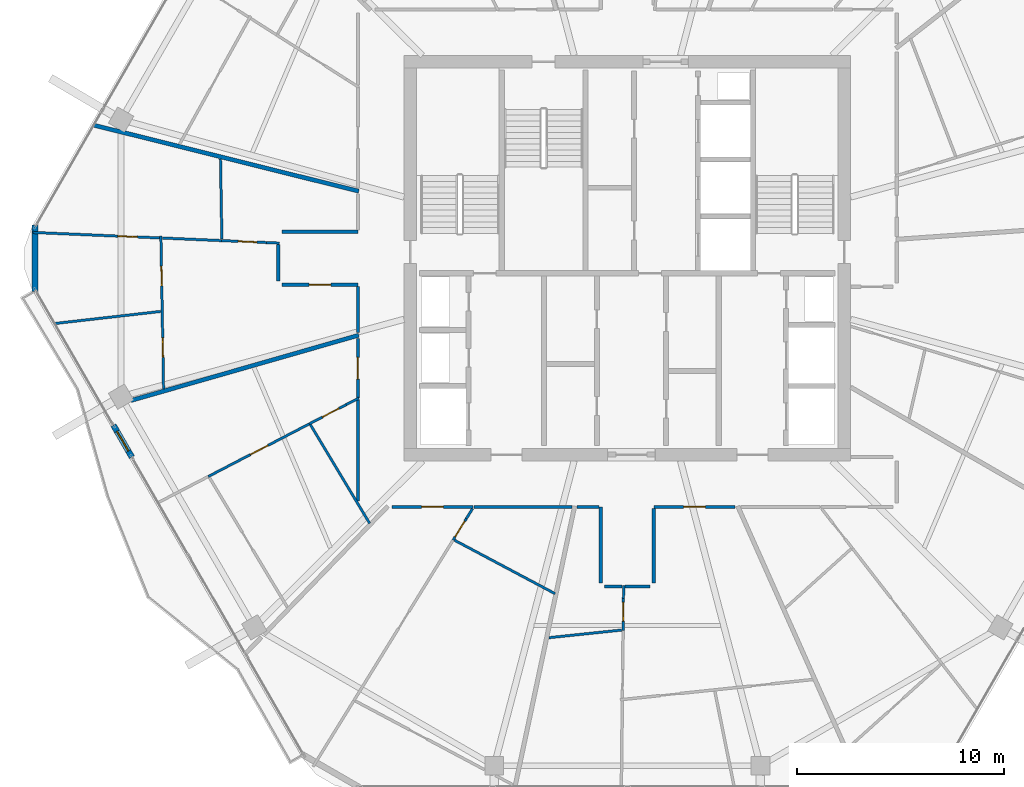
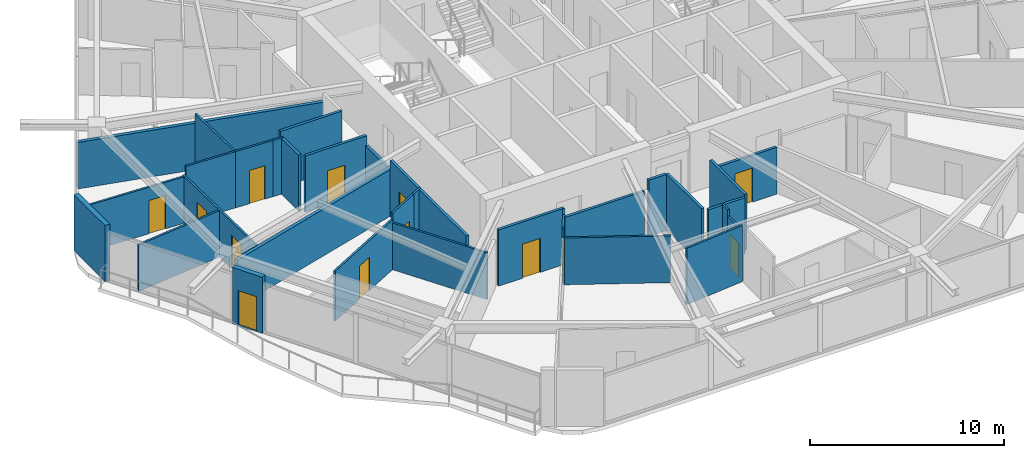
# One storey, part 18 of 26: 35 walls, 13 doors, 13 openings.
"""IFC4 building model written with IfcOpenShell, lengths in metres."""

from ifc_helpers import new_model, si_unit, direction, frame, frame_2d, origin, place, context, subcontext, project, spatial, rectangle, extrude, material, layer, layer_set, type_object, element, fill, save


model = new_model("IFC4")

# Units and contexts
model_context = context("Model", 3, precision=1e-05, world=origin(), true_north=direction((0.0, 1.0)))
body_context = subcontext(model_context, "Body", "Model", "MODEL_VIEW")
ifc_project = project(units=[si_unit("LENGTHUNIT", "METRE"), si_unit("AREAUNIT", "SQUARE_METRE"), si_unit("VOLUMEUNIT", "CUBIC_METRE"), si_unit("PLANEANGLEUNIT", "RADIAN"), si_unit("MASSUNIT", "GRAM", prefix="KILO")], contexts=[model_context])

# Site, building, storey
site_placement = place(None, origin())
site = spatial("IfcSite", under=ifc_project, at=site_placement, CompositionType="ELEMENT")
building_placement = place(site_placement, origin())
building = spatial("IfcBuilding", under=site, at=building_placement, Name="Zuhravey Tower", CompositionType="ELEMENT")
storey_placement = place(building_placement, frame((0.0, 0.0, 250.199951171875)))
storey = spatial("IfcBuildingStorey", under=building, at=storey_placement, Name="L63", CompositionType="ELEMENT", Elevation=250.199951171875)

# Wall, opening, door
ifc_material_1 = material(Name="Gypsum fire-rated stud partition")
ifc_layer_1 = layer(ifc_material_1, 0.159912109375)
ifc_layer_set_1 = layer_set([ifc_layer_1], Name="Gypsum fire-rated stud partition")
wall_type_1 = type_object("IfcWallType", Name="Corridor Fire Partition 160", PredefinedType="PARTITIONING", material=ifc_layer_set_1)
wall_1_placement = place(storey_placement, frame((19.300048828125, 30.719970703125, 0.0), z_axis=(0.0, 0.0, 1.0), x_axis=(1.0, 0.0, 0.0)))
wall_1 = element("IfcWall", 1, at=wall_1_placement, inside=storey, type_object=wall_type_1, Name="L63 IW16 Partition 034", PredefinedType="PARTITIONING", context=body_context, shape_type="SweptSolid", body=[
    extrude(rectangle(XDim=3.669921875, YDim=0.159912109375, at=frame_2d((1.8349609375, 0.0))), origin(), (0.0, 0.0, 1.0), 3.550048828125),
])
opening_1_placement = place(wall_1_placement, frame((1.31005859375, 0.0, 0.0)))
opening_1 = element("IfcOpeningElement", 2, at=opening_1_placement, cuts=wall_1, Name="Opening APD1", PredefinedType="OPENING", context=body_context, shape_type="SweptSolid", body=[
    extrude(rectangle(XDim=1.050048828125, YDim=2.14990234375, at=frame_2d((0.52490234375, 1.074951171875))), frame((0.0, 0.092041015625, 0.0), z_axis=(0.0, -1.0, 0.0), x_axis=(1.0, 0.0, 0.0)), (0.0, 0.0, 1.0), 0.183837890625),
])
ifc_material_2 = material(Name="Solid-core oak fire-rated leaf")
door_type_1 = type_object("IfcDoorType", Name="Apartment Entrance Fire Door 1050x2150", OperationType="NOTDEFINED", PredefinedType="DOOR", material=ifc_material_2)
door_1_placement = place(opening_1_placement, frame((1.050048828125, 0.0, 0.0), z_axis=(0.0, 0.0, 1.0), x_axis=(-1.0, 0.0, 0.0)))
door_1 = element("IfcDoor", 3, at=door_1_placement, inside=storey, type_object=door_type_1, Name="L63 Door 034.1", OperationType="SINGLE_SWING_RIGHT", OverallHeight=2.14990234375, OverallWidth=1.050048828125, PredefinedType="DOOR", context=body_context, shape_type="SweptSolid", body=[
    extrude(rectangle(XDim=1.050048828125, YDim=2.14990234375, at=frame_2d((0.52490234375, 1.074951171875))), frame((0.0, 0.02490234375, 0.0), z_axis=(0.0, -1.0, 0.0), x_axis=(1.0, 0.0, 0.0)), (0.0, 0.0, 1.0), 0.050048828125),
])
fill(opening_1, door_1)

wall_2_placement = place(storey_placement, frame((22.969970703125, 28.119384765625, 0.0), z_axis=(0.0, 0.0, 1.0), x_axis=(0.0, -1.0, 0.0)))
wall_2 = element("IfcWall", 4, at=wall_2_placement, inside=storey, type_object=wall_type_1, Name="L63 IW16 Partition 038", PredefinedType="PARTITIONING", context=body_context, shape_type="SweptSolid", body=[
    extrude(rectangle(XDim=2.885498046875, YDim=0.159912109375, at=frame_2d((1.44287109375, 0.0))), origin(), (0.0, 0.0, 1.0), 3.550048828125),
])
opening_2_placement = place(wall_2_placement, frame((0.917724609375, 0.0, 0.0)))
opening_2 = element("IfcOpeningElement", 5, at=opening_2_placement, cuts=wall_2, Name="Opening APD1", PredefinedType="OPENING", context=body_context, shape_type="SweptSolid", body=[
    extrude(rectangle(XDim=1.050048828125, YDim=2.14990234375, at=frame_2d((0.52490234375, 1.074951171875))), frame((0.0, 0.092041015625, 0.0), z_axis=(0.0, -1.0, 0.0), x_axis=(1.0, 0.0, 0.0)), (0.0, 0.0, 1.0), 0.183837890625),
])
door_2_placement = place(opening_2_placement, frame((1.050048828125, 0.0, 0.0), z_axis=(0.0, 0.0, 1.0), x_axis=(-1.0, 0.0, 0.0)))
door_2 = element("IfcDoor", 6, at=door_2_placement, inside=storey, type_object=door_type_1, Name="L63 Door 038.1", OperationType="SINGLE_SWING_RIGHT", OverallHeight=2.14990234375, OverallWidth=1.050048828125, PredefinedType="DOOR", context=body_context, shape_type="SweptSolid", body=[
    extrude(rectangle(XDim=1.050048828125, YDim=2.14990234375, at=frame_2d((0.52490234375, 1.074951171875))), frame((0.0, 0.02490234375, 0.0), z_axis=(0.0, -1.0, 0.0), x_axis=(1.0, 0.0, 0.0)), (0.0, 0.0, 1.0), 0.050048828125),
])
fill(opening_2, door_2)

wall_3_placement = place(storey_placement, frame((24.611572265625, 19.969970703125, 0.0), z_axis=(0.0, 0.0, 1.0), x_axis=(1.0, 0.0, 0.0)))
wall_3 = element("IfcWall", 7, at=wall_3_placement, inside=storey, type_object=wall_type_1, Name="L63 IW16 Partition 042", PredefinedType="PARTITIONING", context=body_context, shape_type="SweptSolid", body=[
    extrude(rectangle(XDim=3.92919921875, YDim=0.159912109375, at=frame_2d((1.964599609375, 0.0))), origin(), (0.0, 0.0, 1.0), 3.550048828125),
])
opening_3_placement = place(wall_3_placement, frame((1.439697265625, 0.0, 0.0)))
opening_3 = element("IfcOpeningElement", 8, at=opening_3_placement, cuts=wall_3, Name="Opening APD1", PredefinedType="OPENING", context=body_context, shape_type="SweptSolid", body=[
    extrude(rectangle(XDim=1.050048828125, YDim=2.14990234375, at=frame_2d((0.52490234375, 1.074951171875))), frame((0.0, 0.092041015625, 0.0), z_axis=(0.0, -1.0, 0.0), x_axis=(1.0, 0.0, 0.0)), (0.0, 0.0, 1.0), 0.183837890625),
])
door_3_placement = place(opening_3_placement, frame((1.050048828125, 0.0, 0.0), z_axis=(0.0, 0.0, 1.0), x_axis=(-1.0, 0.0, 0.0)))
door_3 = element("IfcDoor", 9, at=door_3_placement, inside=storey, type_object=door_type_1, Name="L63 Door 042.1", OperationType="SINGLE_SWING_RIGHT", OverallHeight=2.14990234375, OverallWidth=1.050048828125, PredefinedType="DOOR", context=body_context, shape_type="SweptSolid", body=[
    extrude(rectangle(XDim=1.050048828125, YDim=2.14990234375, at=frame_2d((0.52490234375, 1.074951171875))), frame((0.0, 0.02490234375, 0.0), z_axis=(0.0, -1.0, 0.0), x_axis=(1.0, 0.0, 0.0)), (0.0, 0.0, 1.0), 0.050048828125),
])
fill(opening_3, door_3)

wall_4_placement = place(storey_placement, frame((37.280029296875, 19.969970703125, 0.0), z_axis=(0.0, 0.0, 1.0), x_axis=(1.0, 0.0, 0.0)))
wall_4 = element("IfcWall", 10, at=wall_4_placement, inside=storey, type_object=wall_type_1, Name="L63 IW16 Partition 047", PredefinedType="PARTITIONING", context=body_context, shape_type="SweptSolid", body=[
    extrude(rectangle(XDim=3.928955078125, YDim=0.159912109375, at=frame_2d((1.96435546875, 0.0))), origin(), (0.0, 0.0, 1.0), 2.949951171875),
])
opening_4_placement = place(wall_4_placement, frame((1.439453125, 0.0, 0.0)))
opening_4 = element("IfcOpeningElement", 11, at=opening_4_placement, cuts=wall_4, Name="Opening APD1", PredefinedType="OPENING", context=body_context, shape_type="SweptSolid", body=[
    extrude(rectangle(XDim=1.050048828125, YDim=2.14990234375, at=frame_2d((0.52490234375, 1.074951171875))), frame((0.0, 0.092041015625, 0.0), z_axis=(0.0, -1.0, 0.0), x_axis=(1.0, 0.0, 0.0)), (0.0, 0.0, 1.0), 0.183837890625),
])
door_4_placement = place(opening_4_placement, frame((1.050048828125, 0.0, 0.0), z_axis=(0.0, 0.0, 1.0), x_axis=(-1.0, 0.0, 0.0)))
door_4 = element("IfcDoor", 12, at=door_4_placement, inside=storey, type_object=door_type_1, Name="L63 Door 047.1", OperationType="SINGLE_SWING_LEFT", OverallHeight=2.14990234375, OverallWidth=1.050048828125, PredefinedType="DOOR", context=body_context, shape_type="SweptSolid", body=[
    extrude(rectangle(XDim=1.050048828125, YDim=2.14990234375, at=frame_2d((0.52490234375, 1.074951171875))), frame((0.0, 0.02490234375, 0.0), z_axis=(0.0, -1.0, 0.0), x_axis=(1.0, 0.0, 0.0)), (0.0, 0.0, 1.0), 0.050048828125),
])
fill(opening_4, door_4)

# Walls
wall_5_placement = place(storey_placement, frame((22.969970703125, 30.632080078125, 0.0), z_axis=(0.0, 0.0, 1.0), x_axis=(0.0, -1.0, 0.0)))
element("IfcWall", 13, at=wall_5_placement, inside=storey, type_object=wall_type_1, Name="L63 IW16 Partition 124", PredefinedType="PARTITIONING", context=body_context, shape_type="SweptSolid", body=[
    extrude(rectangle(XDim=2.224853515625, YDim=0.159912109375, at=frame_2d((1.1123046875, 0.0))), origin(), (0.0, 0.0, 1.0), 2.949951171875),
])
wall_6_placement = place(storey_placement, frame((19.1201171875, 32.6630859375, 0.0), z_axis=(0.0, 0.0, 1.0), x_axis=(0.0, -1.0, 0.0)))
element("IfcWall", 14, at=wall_6_placement, inside=storey, type_object=wall_type_1, Name="L63 IW16 Partition 125", PredefinedType="PARTITIONING", context=body_context, shape_type="SweptSolid", body=[
    extrude(rectangle(XDim=1.76318359375, YDim=0.159912109375, at=frame_2d((0.881591796875, 0.0))), origin(), (0.0, 0.0, 1.0), 3.550048828125),
])
wall_7_placement = place(storey_placement, frame((22.969970703125, 33.280029296875, 0.0), z_axis=(0.0, 0.0, 1.0), x_axis=(-1.0, 0.0, 0.0)))
element("IfcWall", 15, at=wall_7_placement, inside=storey, type_object=wall_type_1, Name="L63 IW16 Partition 126", PredefinedType="PARTITIONING", context=body_context, shape_type="SweptSolid", body=[
    extrude(rectangle(XDim=3.669921875, YDim=0.159912109375, at=frame_2d((1.8349609375, 0.0))), origin(), (0.0, 0.0, 1.0), 3.550048828125),
])
wall_8_placement = place(storey_placement, frame((22.969970703125, 25.134521484375, 0.0), z_axis=(0.0, 0.0, 1.0), x_axis=(0.0, -1.0, 0.0)))
element("IfcWall", 16, at=wall_8_placement, inside=storey, type_object=wall_type_1, Name="L63 IW16 Partition 128", PredefinedType="PARTITIONING", context=body_context, shape_type="SweptSolid", body=[
    extrude(rectangle(XDim=4.8828125, YDim=0.159912109375, at=frame_2d((2.44140625, 0.0))), origin(), (0.0, 0.0, 1.0), 3.550048828125),
])
wall_9_placement = place(storey_placement, frame((28.587890625, 19.969970703125, 0.0), z_axis=(0.0, 0.0, 1.0), x_axis=(1.0, 0.0, 0.0)))
element("IfcWall", 17, at=wall_9_placement, inside=storey, type_object=wall_type_1, Name="L63 IW16 Partition 129", PredefinedType="PARTITIONING", context=body_context, shape_type="SweptSolid", body=[
    extrude(rectangle(XDim=4.724609375, YDim=0.159912109375, at=frame_2d((2.3623046875, 0.0))), origin(), (0.0, 0.0, 1.0), 2.949951171875),
])
wall_10_placement = place(storey_placement, frame((37.280029296875, 16.300048828125, 0.0), z_axis=(0.0, 0.0, 1.0), x_axis=(0.0, 1.0, 0.0)))
element("IfcWall", 18, at=wall_10_placement, inside=storey, type_object=wall_type_1, Name="L63 IW16 Partition 130", PredefinedType="PARTITIONING", context=body_context, shape_type="SweptSolid", body=[
    extrude(rectangle(XDim=3.58203125, YDim=0.159912109375, at=frame_2d((1.791015625, 0.0))), origin(), (0.0, 0.0, 1.0), 3.550048828125),
])
wall_11_placement = place(storey_placement, frame((35.8876953125, 16.1201171875, 0.0), z_axis=(0.0, 0.0, 1.0), x_axis=(1.0, 0.0, 0.0)))
element("IfcWall", 19, at=wall_11_placement, inside=storey, type_object=wall_type_1, Name="L63 IW16 Partition 131", PredefinedType="PARTITIONING", context=body_context, shape_type="SweptSolid", body=[
    extrude(rectangle(XDim=1.21240234375, YDim=0.159912109375, at=frame_2d((0.606201171875, 0.0))), origin(), (0.0, 0.0, 1.0), 3.550048828125),
])
wall_12_placement = place(storey_placement, frame((34.719970703125, 19.969970703125, 0.0), z_axis=(0.0, 0.0, 1.0), x_axis=(0.0, -1.0, 0.0)))
element("IfcWall", 20, at=wall_12_placement, inside=storey, type_object=wall_type_1, Name="L63 IW16 Partition 132", PredefinedType="PARTITIONING", context=body_context, shape_type="SweptSolid", body=[
    extrude(rectangle(XDim=3.669921875, YDim=0.159912109375, at=frame_2d((1.8349609375, 0.0))), origin(), (0.0, 0.0, 1.0), 3.550048828125),
])
wall_13_placement = place(storey_placement, frame((33.572998046875, 19.969970703125, 0.0), z_axis=(0.0, 0.0, 1.0), x_axis=(1.0, 0.0, 0.0)))
element("IfcWall", 21, at=wall_13_placement, inside=storey, type_object=wall_type_1, Name="L63 IW16 Partition 133", PredefinedType="PARTITIONING", context=body_context, shape_type="SweptSolid", body=[
    extrude(rectangle(XDim=1.05908203125, YDim=0.159912109375, at=frame_2d((0.529541015625, 0.0))), origin(), (0.0, 0.0, 1.0), 3.550048828125),
])
wall_14_placement = place(storey_placement, frame((34.89990234375, 16.1201171875, 0.0), z_axis=(0.0, 0.0, 1.0), x_axis=(1.0, 0.0, 0.0)))
element("IfcWall", 22, at=wall_14_placement, inside=storey, type_object=wall_type_1, Name="L63 IW16 Partition 134", PredefinedType="PARTITIONING", context=body_context, shape_type="SweptSolid", body=[
    extrude(rectangle(XDim=0.851806640625, YDim=0.159912109375, at=frame_2d((0.42578125, 0.0))), origin(), (0.0, 0.0, 1.0), 3.550048828125),
])

# Wall, opening, door
ifc_material_3 = material(Name="Precast concrete C40/50", Category="concrete")
ifc_layer_2 = layer(ifc_material_3, 0.280029296875)
ifc_layer_set_2 = layer_set([ifc_layer_2], Name="Precast concrete C40/50")
wall_type_2 = type_object("IfcWallType", Name="Crown Architectural Wall 280", PredefinedType="SOLIDWALL", material=ifc_layer_set_2)
wall_15_placement = place(storey_placement, frame((12.039306640625, 22.373779296875, 0.0), z_axis=(0.0, 0.0, 1.0), x_axis=(-0.499982180423, 0.866035691677, 0.0)))
wall_15 = element("IfcWall", 23, at=wall_15_placement, inside=storey, type_object=wall_type_2, Name="L63 Face 4 Facade Pier EW28-1", PredefinedType="SOLIDWALL", context=body_context, shape_type="SweptSolid", body=[
    extrude(rectangle(XDim=1.7900390625, YDim=0.280029296875, at=frame_2d((0.89501953125, 0.0))), origin(), (0.0, 0.0, 1.0), 3.550048828125),
])
opening_5_placement = place(wall_15_placement, frame((0.344970703125, 0.0, 0.0)))
opening_5 = element("IfcOpeningElement", 24, at=opening_5_placement, cuts=wall_15, Name="Opening BLD1", PredefinedType="OPENING", context=body_context, shape_type="SweptSolid", body=[
    extrude(rectangle(XDim=1.10009765625, YDim=2.199951171875, at=frame_2d((0.550048828125, 1.10009765625))), frame((0.0, 0.152099609375, 0.0), z_axis=(0.0, -1.0, 0.0), x_axis=(1.0, 0.0, 0.0)), (0.0, 0.0, 1.0), 0.303955078125),
])
ifc_material_4 = material(Name="Thermally broken aluminium and low-E glass", Category="aluminium")
door_type_2 = type_object("IfcDoorType", Name="Balcony & Sky-Tray Glazed Door 1100x2200", OperationType="NOTDEFINED", PredefinedType="DOOR", material=ifc_material_4)
door_5_placement = place(opening_5_placement, frame((1.10009765625, 0.0, 0.0), z_axis=(0.0, 0.0, 1.0), x_axis=(-1.0, 0.0, 0.0)))
door_5 = element("IfcDoor", 25, at=door_5_placement, inside=storey, type_object=door_type_2, Name="L63 Face 4 Wave Balcony Door", OperationType="SINGLE_SWING_LEFT", OverallHeight=2.199951171875, OverallWidth=1.10009765625, PredefinedType="DOOR", context=body_context, shape_type="SweptSolid", body=[
    extrude(rectangle(XDim=1.10009765625, YDim=2.199951171875, at=frame_2d((0.550048828125, 1.10009765625))), frame((0.0, 0.02490234375, 0.0), z_axis=(0.0, -1.0, 0.0), x_axis=(1.0, 0.0, 0.0)), (0.0, 0.0, 1.0), 0.050048828125),
])
fill(opening_5, door_5)

# Walls
wall_16_placement = place(storey_placement, frame((7.35498046875, 30.392578125, 0.0), z_axis=(0.0, 0.0, 1.0), x_axis=(0.0, 1.0, 0.0)))
element("IfcWall", 26, at=wall_16_placement, inside=storey, type_object=wall_type_2, Name="L63 Rounded Corner Closure Wall EW28-06", PredefinedType="SOLIDWALL", context=body_context, shape_type="SweptSolid", body=[
    extrude(rectangle(XDim=3.21484375, YDim=0.280029296875, at=frame_2d((1.607421875, 0.0))), origin(), (0.0, 0.0, 1.0), 3.550048828125),
])
ifc_material_5 = material(Name="Gypsum double-stud party assembly")
ifc_layer_3 = layer(ifc_material_5, 0.199951171875)
ifc_layer_set_3 = layer_set([ifc_layer_3], Name="Gypsum double-stud party assembly")
wall_type_3 = type_object("IfcWallType", Name="Inter-Tenancy Party Wall 200", PredefinedType="PARTITIONING", material=ifc_layer_set_3)
wall_17_placement = place(storey_placement, frame((23.010009765625, 35.23876953125, 0.0), z_axis=(0.0, 0.0, 1.0), x_axis=(-0.970296722433, 0.241917900197, 0.0)))
element("IfcWall", 27, at=wall_17_placement, inside=storey, type_object=wall_type_3, Name="L63 IW20 Partition 082", PredefinedType="PARTITIONING", context=body_context, shape_type="SweptSolid", body=[
    extrude(rectangle(XDim=13.206298828125, YDim=0.199951171875, at=frame_2d((6.60302734375, 0.0))), origin(), (0.0, 0.0, 1.0), 2.929931640625),
])
wall_18_placement = place(storey_placement, frame((23.010009765625, 28.275146484375, 0.0), z_axis=(0.0, 0.0, 1.0), x_axis=(-0.961263244987, -0.275631953585, 0.0)))
element("IfcWall", 28, at=wall_18_placement, inside=storey, type_object=wall_type_3, Name="L63 IW20 Partition 086", PredefinedType="PARTITIONING", context=body_context, shape_type="SweptSolid", body=[
    extrude(rectangle(XDim=11.46875, YDim=0.199951171875, at=frame_2d((5.734375, 0.0))), origin(), (0.0, 0.0, 1.0), 2.949951171875),
])

# Wall, openings, doors
ifc_material_6 = material(Name="Gypsum metal-stud partition")
ifc_layer_4 = layer(ifc_material_6, 0.1201171875)
ifc_layer_set_4 = layer_set([ifc_layer_4], Name="Gypsum metal-stud partition")
wall_type_4 = type_object("IfcWallType", Name="Unit Internal Partition 120", PredefinedType="PARTITIONING", material=ifc_layer_set_4)
wall_19_placement = place(storey_placement, frame((13.440185546875, 33.0771484375, 0.0), z_axis=(0.0, 0.0, 1.0), x_axis=(0.01747984643, -0.999847215813, 0.0)))
wall_19 = element("IfcWall", 29, at=wall_19_placement, inside=storey, type_object=wall_type_4, Name="L63 IW12 Partition 030", PredefinedType="PARTITIONING", context=body_context, shape_type="SweptSolid", body=[
    extrude(rectangle(XDim=7.402587890625, YDim=0.1201171875, at=frame_2d((3.701171875, 0.0))), origin(), (0.0, 0.0, 1.0), 2.949951171875),
])
opening_6_placement = place(wall_19_placement, frame((1.468017578125, 0.0, 0.0)))
opening_6 = element("IfcOpeningElement", 30, at=opening_6_placement, cuts=wall_19, Name="Opening IND1", PredefinedType="OPENING", context=body_context, shape_type="SweptSolid", body=[
    extrude(rectangle(XDim=0.949951171875, YDim=2.10009765625, at=frame_2d((0.47509765625, 1.050048828125))), frame((0.0, 0.072021484375, 0.0), z_axis=(0.0, -1.0, 0.0), x_axis=(1.0, 0.0, 0.0)), (0.0, 0.0, 1.0), 0.14404296875),
])
opening_7_placement = place(wall_19_placement, frame((4.9287109375, 0.0, 0.0)))
opening_7 = element("IfcOpeningElement", 31, at=opening_7_placement, cuts=wall_19, Name="Opening IND1", PredefinedType="OPENING", context=body_context, shape_type="SweptSolid", body=[
    extrude(rectangle(XDim=0.949951171875, YDim=2.10009765625, at=frame_2d((0.47509765625, 1.050048828125))), frame((0.0, 0.072021484375, 0.0), z_axis=(0.0, -1.0, 0.0), x_axis=(1.0, 0.0, 0.0)), (0.0, 0.0, 1.0), 0.14404296875),
])
ifc_material_7 = material(Name="Painted engineered timber leaf", Category="wood")
door_type_3 = type_object("IfcDoorType", Name="Internal Room & Bedroom Door 950x2100", OperationType="NOTDEFINED", PredefinedType="DOOR", material=ifc_material_7)
door_6_placement = place(opening_6_placement, frame((0.949951171875, 0.0, 0.0), z_axis=(0.0, 0.0, 1.0), x_axis=(-1.0, 0.0, 0.0)))
door_6 = element("IfcDoor", 32, at=door_6_placement, inside=storey, type_object=door_type_3, Name="Apartment L63-03 Family Study Door", OperationType="SINGLE_SWING_RIGHT", OverallHeight=2.10009765625, OverallWidth=0.949951171875, PredefinedType="DOOR", context=body_context, shape_type="SweptSolid", body=[
    extrude(rectangle(XDim=0.949951171875, YDim=2.10009765625, at=frame_2d((0.47509765625, 1.050048828125))), frame((0.0, 0.02490234375, 0.0), z_axis=(0.0, -1.0, 0.0), x_axis=(1.0, 0.0, 0.0)), (0.0, 0.0, 1.0), 0.050048828125),
])
fill(opening_6, door_6)
door_7_placement = place(opening_7_placement, frame((0.949951171875, 0.0, 0.0), z_axis=(0.0, 0.0, 1.0), x_axis=(-1.0, 0.0, 0.0)))
door_7 = element("IfcDoor", 33, at=door_7_placement, inside=storey, type_object=door_type_3, Name="Apartment L63-03 Dining Room Door", OperationType="SINGLE_SWING_LEFT", OverallHeight=2.10009765625, OverallWidth=0.949951171875, PredefinedType="DOOR", context=body_context, shape_type="SweptSolid", body=[
    extrude(rectangle(XDim=0.949951171875, YDim=2.10009765625, at=frame_2d((0.47509765625, 1.050048828125))), frame((0.0, 0.02490234375, 0.0), z_axis=(0.0, -1.0, 0.0), x_axis=(1.0, 0.0, 0.0)), (0.0, 0.0, 1.0), 0.050048828125),
])
fill(opening_7, door_7)

# Wall, opening, door
wall_20_placement = place(storey_placement, frame((18.550048828125, 32.755859375, 0.0), z_axis=(0.0, 0.0, 1.0), x_axis=(-0.999065825158, 0.04321431478, 0.0)))
wall_20 = element("IfcWall", 34, at=wall_20_placement, inside=storey, type_object=wall_type_4, Name="L63 IW12 Partition 031", PredefinedType="PARTITIONING", context=body_context, shape_type="SweptSolid", body=[
    extrude(rectangle(XDim=2.186279296875, YDim=0.1201171875, at=frame_2d((1.09326171875, 0.0))), origin(), (0.0, 0.0, 1.0), 3.550048828125),
])
opening_8_placement = place(wall_20_placement, frame((0.46826171875, 0.0, 0.0)))
opening_8 = element("IfcOpeningElement", 35, at=opening_8_placement, cuts=wall_20, Name="Opening WCD1", PredefinedType="OPENING", context=body_context, shape_type="SweptSolid", body=[
    extrude(rectangle(XDim=0.89990234375, YDim=2.10009765625, at=frame_2d((0.449951171875, 1.050048828125))), frame((0.0, 0.072021484375, 0.0), z_axis=(0.0, -1.0, 0.0), x_axis=(1.0, 0.0, 0.0)), (0.0, 0.0, 1.0), 0.14404296875),
])
ifc_material_8 = material(Name="Moisture-resistant timber leaf", Category="wood")
door_type_4 = type_object("IfcDoorType", Name="Bathroom & WC Internal Door 900x2100", OperationType="NOTDEFINED", PredefinedType="DOOR", material=ifc_material_8)
door_8_placement = place(opening_8_placement, frame((0.89990234375, 0.0, 0.0), z_axis=(0.0, 0.0, 1.0), x_axis=(-1.0, 0.0, 0.0)))
door_8 = element("IfcDoor", 36, at=door_8_placement, inside=storey, type_object=door_type_4, Name="Apartment L63-03 Bathroom Door", OperationType="SINGLE_SWING_RIGHT", OverallHeight=2.10009765625, OverallWidth=0.89990234375, PredefinedType="DOOR", context=body_context, shape_type="SweptSolid", body=[
    extrude(rectangle(XDim=0.89990234375, YDim=2.10009765625, at=frame_2d((0.449951171875, 1.050048828125))), frame((0.0, 0.02490234375, 0.0), z_axis=(0.0, -1.0, 0.0), x_axis=(1.0, 0.0, 0.0)), (0.0, 0.0, 1.0), 0.050048828125),
])
fill(opening_8, door_8)

# Wall
wall_21_placement = place(storey_placement, frame((16.36572265625, 32.850341796875, 0.0), z_axis=(0.0, 0.0, 1.0), x_axis=(-0.999061951001, 0.043303788079, 0.0)))
element("IfcWall", 37, at=wall_21_placement, inside=storey, type_object=wall_type_4, Name="L63 IW12 Partition 032", PredefinedType="PARTITIONING", context=body_context, shape_type="SweptSolid", body=[
    extrude(rectangle(XDim=2.8583984375, YDim=0.1201171875, at=frame_2d((1.42919921875, 0.0))), origin(), (0.0, 0.0, 1.0), 3.550048828125),
])

# Wall, opening, door
wall_22_placement = place(storey_placement, frame((13.3740234375, 32.97998046875, 0.0), z_axis=(0.0, 0.0, 1.0), x_axis=(-0.999064479772, 0.043245407351, 0.0)))
wall_22 = element("IfcWall", 38, at=wall_22_placement, inside=storey, type_object=wall_type_4, Name="L63 IW12 Partition 033", PredefinedType="PARTITIONING", context=body_context, shape_type="SweptSolid", body=[
    extrude(rectangle(XDim=6.130859375, YDim=0.1201171875, at=frame_2d((3.0654296875, 0.0))), origin(), (0.0, 0.0, 1.0), 2.929931640625),
])
opening_9_placement = place(wall_22_placement, frame((1.068115234375, 0.0, 0.0)))
opening_9 = element("IfcOpeningElement", 39, at=opening_9_placement, cuts=wall_22, Name="Opening IND1", PredefinedType="OPENING", context=body_context, shape_type="SweptSolid", body=[
    extrude(rectangle(XDim=0.949951171875, YDim=2.10009765625, at=frame_2d((0.47509765625, 1.050048828125))), frame((0.0, 0.072021484375, 0.0), z_axis=(0.0, -1.0, 0.0), x_axis=(1.0, 0.0, 0.0)), (0.0, 0.0, 1.0), 0.14404296875),
])
door_9_placement = place(opening_9_placement, frame((0.949951171875, 0.0, 0.0), z_axis=(0.0, 0.0, 1.0), x_axis=(-1.0, 0.0, 0.0)))
door_9 = element("IfcDoor", 40, at=door_9_placement, inside=storey, type_object=door_type_3, Name="Apartment L63-03 Kitchen Door", OperationType="SINGLE_SWING_LEFT", OverallHeight=2.10009765625, OverallWidth=0.949951171875, PredefinedType="DOOR", context=body_context, shape_type="SweptSolid", body=[
    extrude(rectangle(XDim=0.949951171875, YDim=2.10009765625, at=frame_2d((0.47509765625, 1.050048828125))), frame((0.0, 0.02490234375, 0.0), z_axis=(0.0, -1.0, 0.0), x_axis=(1.0, 0.0, 0.0)), (0.0, 0.0, 1.0), 0.050048828125),
])
fill(opening_9, door_9)

wall_23_placement = place(storey_placement, frame((22.39990234375, 24.914306640625, 0.0), z_axis=(0.0, 0.0, 1.0), x_axis=(-0.886792724396, -0.462167354926, 0.0)))
wall_23 = element("IfcWall", 41, at=wall_23_placement, inside=storey, type_object=wall_type_4, Name="L63 IW12 Partition 035", PredefinedType="PARTITIONING", context=body_context, shape_type="SweptSolid", body=[
    extrude(rectangle(XDim=2.009521484375, YDim=0.1201171875, at=frame_2d((1.0048828125, 0.0))), origin(), (0.0, 0.0, 1.0), 3.550048828125),
])
opening_10_placement = place(wall_23_placement, frame((0.39404296875, 0.0, 0.0)))
opening_10 = element("IfcOpeningElement", 42, at=opening_10_placement, cuts=wall_23, Name="Opening WCD1", PredefinedType="OPENING", context=body_context, shape_type="SweptSolid", body=[
    extrude(rectangle(XDim=0.89990234375, YDim=2.10009765625, at=frame_2d((0.449951171875, 1.050048828125))), frame((0.0, 0.072021484375, 0.0), z_axis=(0.0, -1.0, 0.0), x_axis=(1.0, 0.0, 0.0)), (0.0, 0.0, 1.0), 0.14404296875),
])
door_10_placement = place(opening_10_placement, origin())
door_10 = element("IfcDoor", 43, at=door_10_placement, inside=storey, type_object=door_type_4, Name="Apartment L63-04 Bathroom Door", OperationType="SINGLE_SWING_LEFT", OverallHeight=2.10009765625, OverallWidth=0.89990234375, PredefinedType="DOOR", context=body_context, shape_type="SweptSolid", body=[
    extrude(rectangle(XDim=0.89990234375, YDim=2.10009765625, at=frame_2d((0.449951171875, 1.050048828125))), frame((0.0, 0.02490234375, 0.0), z_axis=(0.0, -1.0, 0.0), x_axis=(1.0, 0.0, 0.0)), (0.0, 0.0, 1.0), 0.050048828125),
])
fill(opening_10, door_10)

wall_24_placement = place(storey_placement, frame((20.617919921875, 23.98583984375, 0.0), z_axis=(0.0, 0.0, 1.0), x_axis=(-0.886846806797, -0.462063568434, 0.0)))
wall_24 = element("IfcWall", 44, at=wall_24_placement, inside=storey, type_object=wall_type_4, Name="L63 IW12 Partition 036", PredefinedType="PARTITIONING", context=body_context, shape_type="SweptSolid", body=[
    extrude(rectangle(XDim=5.51416015625, YDim=0.1201171875, at=frame_2d((2.757080078125, 0.0))), origin(), (0.0, 0.0, 1.0), 3.150146484375),
])
opening_11_placement = place(wall_24_placement, frame((2.2568359375, 0.0, 0.0)))
opening_11 = element("IfcOpeningElement", 45, at=opening_11_placement, cuts=wall_24, Name="Opening IND1", PredefinedType="OPENING", context=body_context, shape_type="SweptSolid", body=[
    extrude(rectangle(XDim=0.949951171875, YDim=2.10009765625, at=frame_2d((0.47509765625, 1.050048828125))), frame((0.0, 0.072021484375, 0.0), z_axis=(0.0, -1.0, 0.0), x_axis=(1.0, 0.0, 0.0)), (0.0, 0.0, 1.0), 0.14404296875),
])
door_11_placement = place(opening_11_placement, origin())
door_11 = element("IfcDoor", 46, at=door_11_placement, inside=storey, type_object=door_type_3, Name="Apartment L63-04 Home Office Door", OperationType="SINGLE_SWING_RIGHT", OverallHeight=2.10009765625, OverallWidth=0.949951171875, PredefinedType="DOOR", context=body_context, shape_type="SweptSolid", body=[
    extrude(rectangle(XDim=0.949951171875, YDim=2.10009765625, at=frame_2d((0.47509765625, 1.050048828125))), frame((0.0, 0.02490234375, 0.0), z_axis=(0.0, -1.0, 0.0), x_axis=(1.0, 0.0, 0.0)), (0.0, 0.0, 1.0), 0.050048828125),
])
fill(opening_11, door_11)

wall_25_placement = place(storey_placement, frame((28.2119140625, 19.39990234375, 0.0), z_axis=(0.0, 0.0, 1.0), x_axis=(-0.525724166979, -0.850655100646, 0.0)))
wall_25 = element("IfcWall", 47, at=wall_25_placement, inside=storey, type_object=wall_type_4, Name="L63 IW12 Partition 039", PredefinedType="PARTITIONING", context=body_context, shape_type="SweptSolid", body=[
    extrude(rectangle(XDim=1.21337890625, YDim=0.1201171875, at=frame_2d((0.606689453125, 0.0))), origin(), (0.0, 0.0, 1.0), 3.550048828125),
])
opening_12_placement = place(wall_25_placement, frame((0.139892578125, 0.0, 0.0)))
opening_12 = element("IfcOpeningElement", 48, at=opening_12_placement, cuts=wall_25, Name="Opening WCD1", PredefinedType="OPENING", context=body_context, shape_type="SweptSolid", body=[
    extrude(rectangle(XDim=0.89990234375, YDim=2.10009765625, at=frame_2d((0.449951171875, 1.050048828125))), frame((0.0, 0.072021484375, 0.0), z_axis=(0.0, -1.0, 0.0), x_axis=(1.0, 0.0, 0.0)), (0.0, 0.0, 1.0), 0.14404296875),
])
door_12_placement = place(opening_12_placement, origin())
door_12 = element("IfcDoor", 49, at=door_12_placement, inside=storey, type_object=door_type_4, Name="Apartment L63-05 Bathroom Door", OperationType="SINGLE_SWING_LEFT", OverallHeight=2.10009765625, OverallWidth=0.89990234375, PredefinedType="DOOR", context=body_context, shape_type="SweptSolid", body=[
    extrude(rectangle(XDim=0.89990234375, YDim=2.10009765625, at=frame_2d((0.449951171875, 1.050048828125))), frame((0.0, 0.02490234375, 0.0), z_axis=(0.0, -1.0, 0.0), x_axis=(1.0, 0.0, 0.0)), (0.0, 0.0, 1.0), 0.050048828125),
])
fill(opening_12, door_12)

wall_26_placement = place(storey_placement, frame((35.813232421875, 15.550048828125, 0.0), z_axis=(0.0, 0.0, 1.0), x_axis=(-0.011312915226, -0.999936006927, 0.0)))
wall_26 = element("IfcWall", 50, at=wall_26_placement, inside=storey, type_object=wall_type_4, Name="L63 IW12 Partition 044", PredefinedType="PARTITIONING", context=body_context, shape_type="SweptSolid", body=[
    extrude(rectangle(XDim=1.5537109375, YDim=0.1201171875, at=frame_2d((0.77685546875, 0.0))), origin(), (0.0, 0.0, 1.0), 3.150146484375),
])
opening_13_placement = place(wall_26_placement, frame((0.20263671875, 0.0, 0.0)))
opening_13 = element("IfcOpeningElement", 51, at=opening_13_placement, cuts=wall_26, Name="Opening WCD1", PredefinedType="OPENING", context=body_context, shape_type="SweptSolid", body=[
    extrude(rectangle(XDim=0.89990234375, YDim=2.10009765625, at=frame_2d((0.449951171875, 1.050048828125))), frame((0.0, 0.072021484375, 0.0), z_axis=(0.0, -1.0, 0.0), x_axis=(1.0, 0.0, 0.0)), (0.0, 0.0, 1.0), 0.14404296875),
])
door_13_placement = place(opening_13_placement, frame((0.89990234375, 0.0, 0.0), z_axis=(0.0, 0.0, 1.0), x_axis=(-1.0, 0.0, 0.0)))
door_13 = element("IfcDoor", 52, at=door_13_placement, inside=storey, type_object=door_type_4, Name="Apartment L63-06 Bathroom Door", OperationType="SINGLE_SWING_LEFT", OverallHeight=2.10009765625, OverallWidth=0.89990234375, PredefinedType="DOOR", context=body_context, shape_type="SweptSolid", body=[
    extrude(rectangle(XDim=0.89990234375, YDim=2.10009765625, at=frame_2d((0.449951171875, 1.050048828125))), frame((0.0, 0.02490234375, 0.0), z_axis=(0.0, -1.0, 0.0), x_axis=(1.0, 0.0, 0.0)), (0.0, 0.0, 1.0), 0.050048828125),
])
fill(opening_13, door_13)

# Walls
wall_27_placement = place(storey_placement, frame((13.43603515625, 29.42529296875, 0.0), z_axis=(0.0, 0.0, 1.0), x_axis=(-0.99355159017, -0.11338094051, 0.0)))
element("IfcWall", 53, at=wall_27_placement, inside=storey, type_object=wall_type_4, Name="L63 IW12 Partition 083", PredefinedType="PARTITIONING", context=body_context, shape_type="SweptSolid", body=[
    extrude(rectangle(XDim=5.19580078125, YDim=0.1201171875, at=frame_2d((2.597900390625, 0.0))), origin(), (0.0, 0.0, 1.0), 2.929931640625),
])
wall_28_placement = place(storey_placement, frame((19.1650390625, 32.72900390625, 0.0), z_axis=(0.0, 0.0, 1.0), x_axis=(-0.999047908993, 0.043626546244, 0.0)))
element("IfcWall", 54, at=wall_28_placement, inside=storey, type_object=wall_type_4, Name="L63 IW12 Partition 084", PredefinedType="PARTITIONING", context=body_context, shape_type="SweptSolid", body=[
    extrude(rectangle(XDim=0.615478515625, YDim=0.1201171875, at=frame_2d((0.3076171875, 0.0))), origin(), (0.0, 0.0, 1.0), 3.550048828125),
])
wall_29_placement = place(storey_placement, frame((16.322021484375, 36.794921875, 0.0), z_axis=(0.0, 0.0, 1.0), x_axis=(0.017438476192, -0.999847938213, 0.0)))
element("IfcWall", 55, at=wall_29_placement, inside=storey, type_object=wall_type_4, Name="L63 IW12 Partition 085", PredefinedType="PARTITIONING", context=body_context, shape_type="SweptSolid", body=[
    extrude(rectangle(XDim=3.8779296875, YDim=0.1201171875, at=frame_2d((1.93896484375, 0.0))), origin(), (0.0, 0.0, 1.0), 3.550048828125),
])
wall_30_placement = place(storey_placement, frame((23.01220703125, 25.233154296875, 0.0), z_axis=(0.0, 0.0, 1.0), x_axis=(-0.886950303541, -0.461864870983, 0.0)))
element("IfcWall", 56, at=wall_30_placement, inside=storey, type_object=wall_type_4, Name="L63 IW12 Partition 087", PredefinedType="PARTITIONING", context=body_context, shape_type="SweptSolid", body=[
    extrude(rectangle(XDim=0.6904296875, YDim=0.1201171875, at=frame_2d((0.34521484375, 0.0))), origin(), (0.0, 0.0, 1.0), 3.550048828125),
])
wall_31_placement = place(storey_placement, frame((20.675048828125, 23.938720703125, 0.0), z_axis=(0.0, 0.0, 1.0), x_axis=(0.515057714927, -0.857155499483, 0.0)))
element("IfcWall", 57, at=wall_31_placement, inside=storey, type_object=wall_type_4, Name="L63 IW12 Partition 089", PredefinedType="PARTITIONING", context=body_context, shape_type="SweptSolid", body=[
    extrude(rectangle(XDim=5.55712890625, YDim=0.1201171875, at=frame_2d((2.778564453125, 0.0))), origin(), (0.0, 0.0, 1.0), 2.949951171875),
])
wall_32_placement = place(storey_placement, frame((28.510009765625, 19.882080078125, 0.0), z_axis=(0.0, 0.0, 1.0), x_axis=(-0.525850424149, -0.850577057898, 0.0)))
element("IfcWall", 58, at=wall_32_placement, inside=storey, type_object=wall_type_4, Name="L63 IW12 Partition 092", PredefinedType="PARTITIONING", context=body_context, shape_type="SweptSolid", body=[
    extrude(rectangle(XDim=0.56689453125, YDim=0.1201171875, at=frame_2d((0.283447265625, 0.0))), origin(), (0.0, 0.0, 1.0), 3.550048828125),
])
wall_33_placement = place(storey_placement, frame((27.647216796875, 18.356689453125, 0.0), z_axis=(0.0, 0.0, 1.0), x_axis=(0.882946751735, -0.469473144706, 0.0)))
element("IfcWall", 59, at=wall_33_placement, inside=storey, type_object=wall_type_4, Name="L63 IW12 Partition 094", PredefinedType="PARTITIONING", context=body_context, shape_type="SweptSolid", body=[
    extrude(rectangle(XDim=5.501953125, YDim=0.1201171875, at=frame_2d((2.7509765625, 0.0))), origin(), (0.0, 0.0, 1.0), 2.949951171875),
])
wall_34_placement = place(storey_placement, frame((35.8203125, 16.1650390625, 0.0), z_axis=(0.0, 0.0, 1.0), x_axis=(-0.011511742117, -0.999933737701, 0.0)))
element("IfcWall", 60, at=wall_34_placement, inside=storey, type_object=wall_type_4, Name="L63 IW12 Partition 098", PredefinedType="PARTITIONING", context=body_context, shape_type="SweptSolid", body=[
    extrude(rectangle(XDim=0.614990234375, YDim=0.1201171875, at=frame_2d((0.3076171875, 0.0))), origin(), (0.0, 0.0, 1.0), 3.550048828125),
])
wall_35_placement = place(storey_placement, frame((32.208740234375, 13.64453125, 0.0), z_axis=(0.0, 0.0, 1.0), x_axis=(0.99452169774, 0.10453034356, 0.0)))
element("IfcWall", 61, at=wall_35_placement, inside=storey, type_object=wall_type_4, Name="L63 IW12 Partition 099", PredefinedType="PARTITIONING", context=body_context, shape_type="SweptSolid", body=[
    extrude(rectangle(XDim=3.538330078125, YDim=0.1201171875, at=frame_2d((1.76904296875, 0.0))), origin(), (0.0, 0.0, 1.0), 3.550048828125),
])

save(model, "model.ifc")
